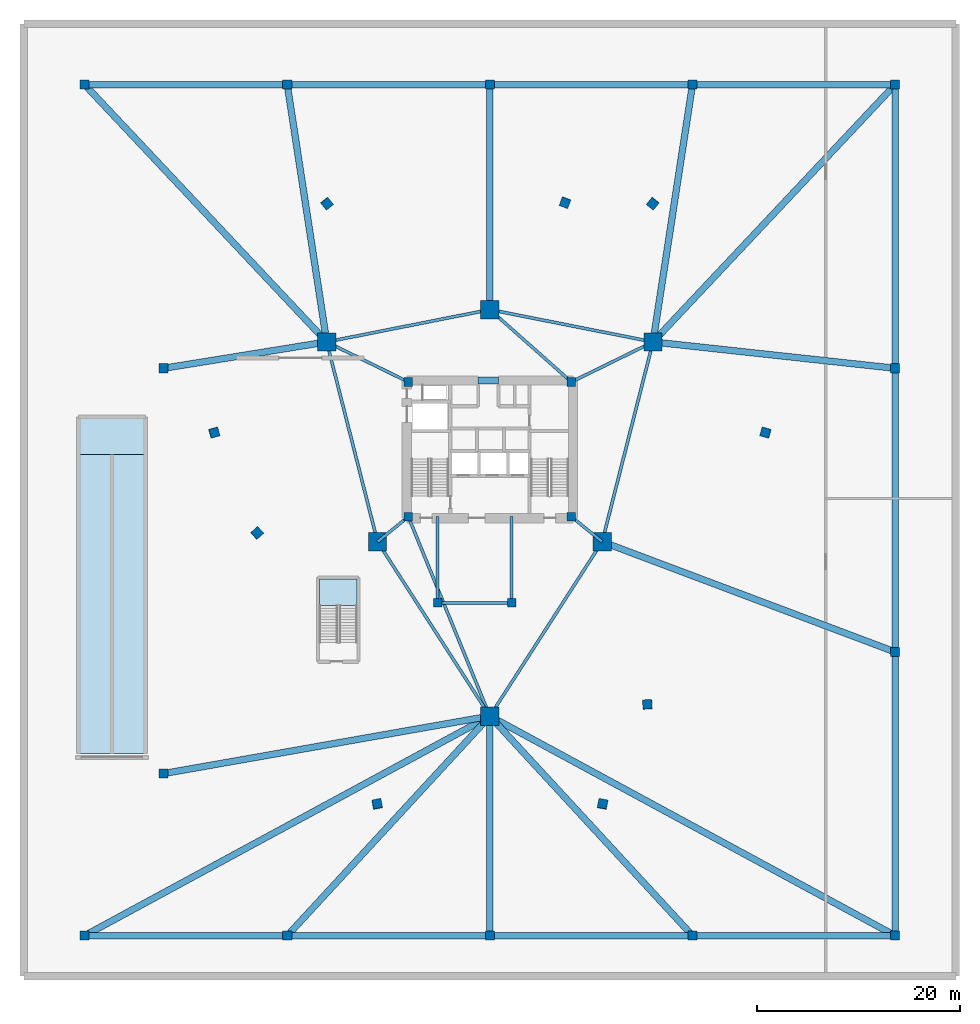
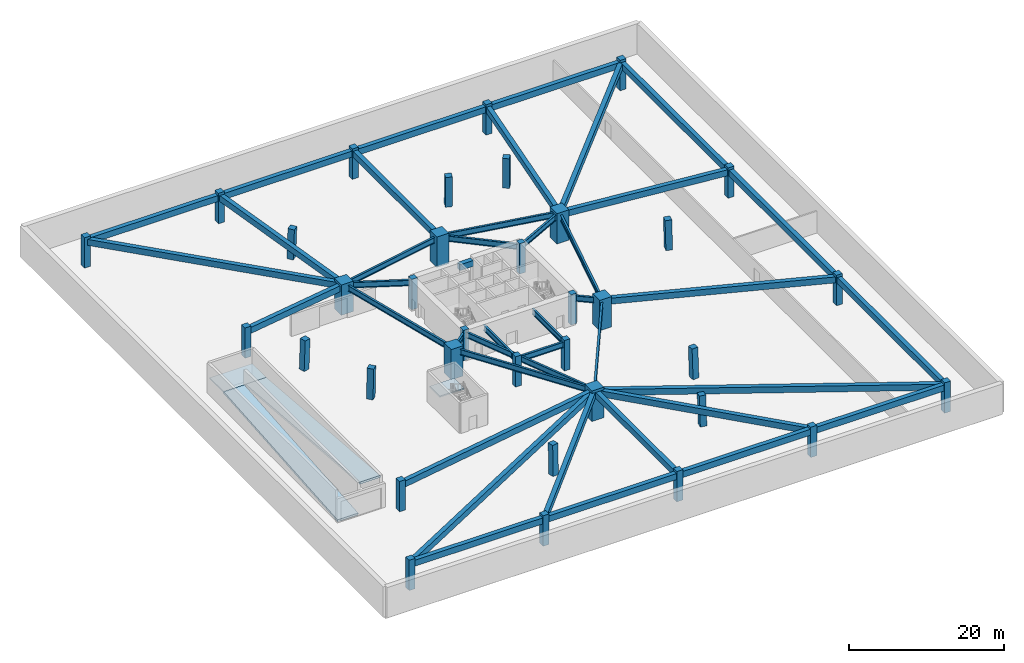
# One storey, part 1 of 7: 41 beams, 35 columns, 4 slabs, 1 element without a shape of its own.
"""IFC4 building model written with IfcOpenShell, lengths in metres."""

from ifc_helpers import new_model, si_unit, direction, frame, origin, origin_2d, place, context, subcontext, project, spatial, polyline, rectangle, i_section, outline, extrude, material, layer, layer_set, material_profile, profile_set, type_object, element, aggregate, save


model = new_model("IFC4")

# Units and contexts
model_context = context("Model", 3, precision=1e-05, world=origin(), true_north=direction((0.0, 1.0)))
body_context = subcontext(model_context, "Body", "Model", "MODEL_VIEW")
ifc_project = project(units=[si_unit("LENGTHUNIT", "METRE"), si_unit("AREAUNIT", "SQUARE_METRE"), si_unit("VOLUMEUNIT", "CUBIC_METRE"), si_unit("PLANEANGLEUNIT", "RADIAN"), si_unit("MASSUNIT", "GRAM", prefix="KILO")], contexts=[model_context])

# Site, building, storey
site_placement = place(None, origin())
site = spatial("IfcSite", under=ifc_project, at=site_placement, CompositionType="ELEMENT")
building_placement = place(site_placement, origin())
building = spatial("IfcBuilding", under=site, at=building_placement, Name="Talyreon Biosciences Tower", CompositionType="ELEMENT")
storey_placement = place(building_placement, frame((0.0, 0.0, -4.800048828125)))
storey = spatial("IfcBuildingStorey", under=building, at=storey_placement, Name="B1", CompositionType="ELEMENT", Elevation=-4.800048828125)

# Columns
ifc_material_1 = material(Name="Concrete C50/60", Category="concrete")
ifc_material_profile_1 = material_profile(ifc_material_1, rectangle(XDim=0.89990234375, YDim=0.89990234375, at=origin_2d()), Name="RC 900x900")
ifc_profile_set_1 = profile_set([ifc_material_profile_1], Name="Concrete C50/60")
column_type_1 = type_object("IfcColumnType", Name="BasementColumn_900", PredefinedType="COLUMN", material=ifc_profile_set_1)
for number, where, z_axis, x_axis, name in (
    (1, (26.0, 20.0, 0.0), (0.0, 0.0, 1.0), (1.0, 0.0, 0.0), "B1 Podium Pilotis Column PDC01"),
    (2, (46.0, 20.0, 0.0), (0.0, 0.0, 1.0), (1.0, 0.0, 0.0), "B1 Podium Pilotis Column PDC02"),
    (3, (66.0, 20.0, 0.0), (0.0, 0.0, 1.0), (1.0, 0.0, 0.0), "B1 Podium Pilotis Column PDC03"),
    (4, (86.0, 20.0, 0.0), (0.0, 0.0, 1.0), (1.0, 0.0, 0.0), "B1 Podium Pilotis Column PDC04"),
    (5, (106.0, 20.0, 0.0), (0.0, 0.0, 1.0), (1.0, 0.0, 0.0), "B1 Podium Pilotis Column PDC05"),
    (6, (106.0, 48.0, 0.0), (0.0, 0.0, 1.0), (1.0, 0.0, 0.0), "B1 Podium Pilotis Column PDC06"),
    (7, (106.0, 76.0, 0.0), (0.0, 0.0, 1.0), (1.0, 0.0, 0.0), "B1 Podium Pilotis Column PDC07"),
    (8, (106.0, 104.0, 0.0), (0.0, 0.0, 1.0), (1.0, 0.0, 0.0), "B1 Podium Pilotis Column PDC08"),
    (9, (86.0, 104.0, 0.0), (0.0, 0.0, 1.0), (1.0, 0.0, 0.0), "B1 Podium Pilotis Column PDC09"),
    (10, (66.0, 104.0, 0.0), (0.0, 0.0, 1.0), (1.0, 0.0, 0.0), "B1 Podium Pilotis Column PDC10"),
    (11, (46.0, 104.0, 0.0), (0.0, 0.0, 1.0), (1.0, 0.0, 0.0), "B1 Podium Pilotis Column PDC11"),
    (12, (26.0, 104.0, 0.0), (0.0, 0.0, 1.0), (1.0, 0.0, 0.0), "B1 Podium Pilotis Column PDC12"),
    (13, (33.800048828125, 76.0, 0.0), (0.0, 0.0, 1.0), (1.0, 0.0, 0.0), "B1 Podium Pilotis Column PDC13"),
    (14, (33.800048828125, 36.0, 0.0), (0.0, 0.0, 1.0), (1.0, 0.0, 0.0), "B1 Podium Pilotis Column PDC14"),
):
    element("IfcColumn", number, at=place(storey_placement, frame(where, z_axis=z_axis, x_axis=x_axis)), inside=storey, type_object=column_type_1, Name=name, PredefinedType="COLUMN", context=body_context, shape_type="SweptSolid", body=[
        extrude(rectangle(XDim=0.89990234375, YDim=0.89990234375, at=origin_2d()), origin(), (0.0, 0.0, 1.0), 4.800048828125),
    ])
column_1_placement = place(storey_placement, frame((77.13232421875, 32.978515625, 0.0029296875), z_axis=(-0.009361616534, 0.041414977492, 0.999098173242), x_axis=(-0.189991859957, -0.981015309358, 0.0388851637)))
element("IfcColumn", 15, at=column_1_placement, inside=storey, type_object=column_type_1, Name="B1 Tapering Perimeter Column PC-SE1", PredefinedType="COLUMN", context=body_context, shape_type="SweptSolid", body=[
    extrude(rectangle(XDim=0.89990234375, YDim=0.89990234375, at=origin_2d()), origin(), (0.0, 0.0, 1.0), 4.798583984375),
])
column_2_placement = place(storey_placement, frame((81.55419921875, 42.81298828125, 0.0029296875), z_axis=(-0.014861942478, 0.029113120197, 0.999465631674), x_axis=(0.058471187748, -0.997840168589, 0.029935232635)))
element("IfcColumn", 16, at=column_2_placement, inside=storey, type_object=column_type_1, Name="B1 Tapering Perimeter Column PL-SE", PredefinedType="COLUMN", context=body_context, shape_type="SweptSolid", body=[
    extrude(rectangle(XDim=0.89990234375, YDim=0.89990234375, at=origin_2d()), origin(), (0.0, 0.0, 1.0), 4.796630859375),
])
column_3_placement = place(storey_placement, frame((93.21630859375, 69.65576171875, 0.0029296875), z_axis=(-0.029828067863, -0.004326596874, 0.99954568026), x_axis=(0.963564245293, -0.266048934204, 0.02760271367)))
element("IfcColumn", 17, at=column_3_placement, inside=storey, type_object=column_type_1, Name="B1 Tapering Perimeter Column PC-SE2", PredefinedType="COLUMN", context=body_context, shape_type="SweptSolid", body=[
    extrude(rectangle(XDim=0.89990234375, YDim=0.89990234375, at=origin_2d()), origin(), (0.0, 0.0, 1.0), 4.79638671875),
])
column_4_placement = place(storey_placement, frame((82.083984375, 92.260009765625, 0.0029296875), z_axis=(-0.020409765916, -0.02544858593, 0.999467763827), x_axis=(-0.780107149771, 0.625645934116, 0.0)))
element("IfcColumn", 18, at=column_4_placement, inside=storey, type_object=column_type_1, Name="B1 Tapering Perimeter Column PC-N1", PredefinedType="COLUMN", context=body_context, shape_type="SweptSolid", body=[
    extrude(rectangle(XDim=0.89990234375, YDim=0.89990234375, at=origin_2d()), origin(), (0.0, 0.0, 1.0), 4.796630859375),
])
column_5_placement = place(storey_placement, frame((73.42333984375, 92.360107421875, 0.0029296875), z_axis=(-0.009417508699, -0.025503631667, 0.999630369337), x_axis=(-0.9380871136, 0.346399433166, 0.0)))
element("IfcColumn", 19, at=column_5_placement, inside=storey, type_object=column_type_1, Name="B1 Tapering Perimeter Column PL-N", PredefinedType="COLUMN", context=body_context, shape_type="SweptSolid", body=[
    extrude(rectangle(XDim=0.89990234375, YDim=0.89990234375, at=origin_2d()), origin(), (0.0, 0.0, 1.0), 4.7958984375),
])
column_6_placement = place(storey_placement, frame((49.916015625, 92.260009765625, 0.0029296875), z_axis=(0.020409765916, -0.02544858593, 0.999467763827), x_axis=(-0.780107149771, -0.625645934116, 0.0)))
element("IfcColumn", 20, at=column_6_placement, inside=storey, type_object=column_type_1, Name="B1 Tapering Perimeter Column PC-N2", PredefinedType="COLUMN", context=body_context, shape_type="SweptSolid", body=[
    extrude(rectangle(XDim=0.89990234375, YDim=0.89990234375, at=origin_2d()), origin(), (0.0, 0.0, 1.0), 4.796630859375),
])
column_7_placement = place(storey_placement, frame((38.78369140625, 69.65576171875, 0.0029296875), z_axis=(0.029828067863, -0.004326596874, 0.99954568026), x_axis=(0.963564245293, 0.266048934204, -0.02760271367)))
element("IfcColumn", 21, at=column_7_placement, inside=storey, type_object=column_type_1, Name="B1 Tapering Perimeter Column PC-SW1", PredefinedType="COLUMN", context=body_context, shape_type="SweptSolid", body=[
    extrude(rectangle(XDim=0.89990234375, YDim=0.89990234375, at=origin_2d()), origin(), (0.0, 0.0, 1.0), 4.79638671875),
])
column_8_placement = place(storey_placement, frame((43.022216796875, 59.740966796875, 0.0029296875), z_axis=(0.02438469547, 0.007992478473, 0.999670699238), x_axis=(0.744882298306, 0.66678188222, -0.023500706645)))
element("IfcColumn", 22, at=column_8_placement, inside=storey, type_object=column_type_1, Name="B1 Tapering Perimeter Column PL-SW", PredefinedType="COLUMN", context=body_context, shape_type="SweptSolid", body=[
    extrude(rectangle(XDim=0.89990234375, YDim=0.89990234375, at=origin_2d()), origin(), (0.0, 0.0, 1.0), 4.795654296875),
])
column_9_placement = place(storey_placement, frame((54.86767578125, 32.978515625, 0.0029296875), z_axis=(0.009361616534, 0.041414977492, 0.999098173242), x_axis=(-0.189991859957, 0.981015309358, -0.0388851637)))
element("IfcColumn", 23, at=column_9_placement, inside=storey, type_object=column_type_1, Name="B1 Tapering Perimeter Column PC-SW2", PredefinedType="COLUMN", context=body_context, shape_type="SweptSolid", body=[
    extrude(rectangle(XDim=0.89990234375, YDim=0.89990234375, at=origin_2d()), origin(), (0.0, 0.0, 1.0), 4.798583984375),
])
ifc_material_2 = material(Name="Concrete C60/75", Category="concrete")
ifc_material_profile_2 = material_profile(ifc_material_2, rectangle(XDim=1.800048828125, YDim=1.800048828125, at=origin_2d()), Name="RC 1800x1800")
ifc_profile_set_2 = profile_set([ifc_material_profile_2], Name="Concrete C60/75")
column_type_2 = type_object("IfcColumnType", Name="MegaColumn_1800", PredefinedType="COLUMN", material=ifc_profile_set_2)
for number, where, z_axis, x_axis, name in (
    (24, (66.0, 41.6669921875, 0.0), (0.0, 0.0, 1.0), (1.0, 0.0, 0.0), "B1 Composite Mega-Column MC1"),
    (25, (82.102294921875, 78.5986328125, 0.0), (0.0, 0.0, 1.0), (1.0, 0.0, 0.0), "B1 Composite Mega-Column MC2"),
    (26, (49.897705078125, 78.5986328125, 0.0), (0.0, 0.0, 1.0), (1.0, 0.0, 0.0), "B1 Composite Mega-Column MC3"),
    (27, (77.086181640625, 58.88037109375, 0.0), (0.0, 0.0, 1.0), (1.0, 0.0, 0.0), "B1 Composite Mega-Column MC4"),
    (28, (66.0, 81.788818359375, 0.0), (0.0, 0.0, 1.0), (1.0, 0.0, 0.0), "B1 Composite Mega-Column MC5"),
    (29, (54.913818359375, 58.88037109375, 0.0), (0.0, 0.0, 1.0), (1.0, 0.0, 0.0), "B1 Composite Mega-Column MC6"),
):
    element("IfcColumn", number, at=place(storey_placement, frame(where, z_axis=z_axis, x_axis=x_axis)), inside=storey, type_object=column_type_2, Name=name, PredefinedType="COLUMN", context=body_context, shape_type="SweptSolid", body=[
        extrude(rectangle(XDim=1.800048828125, YDim=1.800048828125, at=origin_2d()), origin(), (0.0, 0.0, 1.0), 4.800048828125),
    ])
ifc_material_profile_3 = material_profile(ifc_material_2, rectangle(XDim=0.85009765625, YDim=0.85009765625, at=origin_2d()), Name="RC 850x850")
ifc_profile_set_3 = profile_set([ifc_material_profile_3], Name="Concrete C60/75")
column_type_3 = type_object("IfcColumnType", Name="PerimeterColumn_850", PredefinedType="COLUMN", material=ifc_profile_set_3)
for number, where, z_axis, x_axis, name in (
    (30, (57.949951171875, 61.35009765625, 0.0), (0.0, 0.0, 1.0), (1.0, 0.0, 0.0), "B1 Core Column CC1"),
    (31, (74.050048828125, 61.35009765625, 0.0), (0.0, 0.0, 1.0), (1.0, 0.0, 0.0), "B1 Core Column CC2"),
    (32, (74.050048828125, 74.64990234375, 0.0), (0.0, 0.0, 1.0), (1.0, 0.0, 0.0), "B1 Core Column CC3"),
    (33, (57.949951171875, 74.64990234375, 0.0), (0.0, 0.0, 1.0), (1.0, 0.0, 0.0), "B1 Core Column CC4"),
    (34, (60.85009765625, 52.840087890625, 0.0), (0.0, 0.0, 1.0), (1.0, 0.0, 0.0), "B1 Core Column CSW"),
    (35, (68.14990234375, 52.840087890625, 0.0), (0.0, 0.0, 1.0), (1.0, 0.0, 0.0), "B1 Core Column CSE"),
):
    element("IfcColumn", number, at=place(storey_placement, frame(where, z_axis=z_axis, x_axis=x_axis)), inside=storey, type_object=column_type_3, Name=name, PredefinedType="COLUMN", context=body_context, shape_type="SweptSolid", body=[
        extrude(rectangle(XDim=0.85009765625, YDim=0.85009765625, at=origin_2d()), origin(), (0.0, 0.0, 1.0), 4.800048828125),
    ])

# Beams
ifc_material_profile_4 = material_profile(ifc_material_2, rectangle(XDim=0.699951171875, YDim=0.89990234375, at=origin_2d()), Name="RCB 700x900")
ifc_profile_set_4 = profile_set([ifc_material_profile_4], Name="Concrete C60/75")
beam_type_1 = type_object("IfcBeamType", Name="CoreCouplingLintel_700x900", PredefinedType="LINTEL", material=ifc_profile_set_4)
beam_1_placement = place(storey_placement, frame((64.85009765625, 74.800048828125, 3.949951171875), z_axis=(1.0, 0.0, 0.0), x_axis=(0.0, 1.0, 0.0)))
element("IfcBeam", 36, at=beam_1_placement, inside=storey, type_object=beam_type_1, Name="B1 Core Coupling Lintel", PredefinedType="LINTEL", context=body_context, shape_type="SweptSolid", body=[
    extrude(rectangle(XDim=0.699951171875, YDim=0.89990234375, at=origin_2d()), origin(), (0.0, 0.0, 1.0), 2.0),
])
ifc_material_profile_5 = material_profile(ifc_material_1, rectangle(XDim=0.64990234375, YDim=0.949951171875, at=origin_2d()), Name="RCB 650x950")
ifc_profile_set_5 = profile_set([ifc_material_profile_5], Name="Concrete C50/60")
beam_type_2 = type_object("IfcBeamType", Name="PodiumGirder_650x950", PredefinedType="T_BEAM", material=ifc_profile_set_5)
for number, where, z_axis, x_axis, name in (
    (37, (26.0, 20.0, 3.925048828125), (1.0, 0.0, 0.0), (0.0, 1.0, 0.0), "B1 Podium Perimeter Ring Girder 01"),
    (38, (46.0, 20.0, 3.925048828125), (1.0, 0.0, 0.0), (0.0, 1.0, 0.0), "B1 Podium Perimeter Ring Girder 02"),
    (39, (66.0, 20.0, 3.925048828125), (1.0, 0.0, 0.0), (0.0, 1.0, 0.0), "B1 Podium Perimeter Ring Girder 03"),
    (40, (86.0, 20.0, 3.925048828125), (1.0, 0.0, 0.0), (0.0, 1.0, 0.0), "B1 Podium Perimeter Ring Girder 04"),
):
    element("IfcBeam", number, at=place(storey_placement, frame(where, z_axis=z_axis, x_axis=x_axis)), inside=storey, type_object=beam_type_2, Name=name, PredefinedType="T_BEAM", context=body_context, shape_type="SweptSolid", body=[
        extrude(rectangle(XDim=0.64990234375, YDim=0.949951171875, at=origin_2d()), origin(), (0.0, 0.0, 1.0), 20.0),
    ])
for number, where, z_axis, x_axis, name in (
    (41, (106.0, 20.0, 3.925048828125), (0.0, 1.0, 0.0), (-1.0, 0.0, 0.0), "B1 Podium Perimeter Ring Girder 05"),
    (42, (106.0, 48.0, 3.925048828125), (0.0, 1.0, 0.0), (-1.0, 0.0, 0.0), "B1 Podium Perimeter Ring Girder 06"),
    (43, (106.0, 76.0, 3.925048828125), (0.0, 1.0, 0.0), (-1.0, 0.0, 0.0), "B1 Podium Perimeter Ring Girder 07"),
):
    element("IfcBeam", number, at=place(storey_placement, frame(where, z_axis=z_axis, x_axis=x_axis)), inside=storey, type_object=beam_type_2, Name=name, PredefinedType="T_BEAM", context=body_context, shape_type="SweptSolid", body=[
        extrude(rectangle(XDim=0.64990234375, YDim=0.949951171875, at=origin_2d()), origin(), (0.0, 0.0, 1.0), 28.0),
    ])
for number, where, z_axis, x_axis, name in (
    (44, (106.0, 104.0, 3.925048828125), (-1.0, 0.0, 0.0), (0.0, -1.0, 0.0), "B1 Podium Perimeter Ring Girder 08"),
    (45, (86.0, 104.0, 3.925048828125), (-1.0, 0.0, 0.0), (0.0, -1.0, 0.0), "B1 Podium Perimeter Ring Girder 09"),
    (46, (66.0, 104.0, 3.925048828125), (-1.0, 0.0, 0.0), (0.0, -1.0, 0.0), "B1 Podium Perimeter Ring Girder 10"),
    (47, (46.0, 104.0, 3.925048828125), (-1.0, 0.0, 0.0), (0.0, -1.0, 0.0), "B1 Podium Perimeter Ring Girder 11"),
):
    element("IfcBeam", number, at=place(storey_placement, frame(where, z_axis=z_axis, x_axis=x_axis)), inside=storey, type_object=beam_type_2, Name=name, PredefinedType="T_BEAM", context=body_context, shape_type="SweptSolid", body=[
        extrude(rectangle(XDim=0.64990234375, YDim=0.949951171875, at=origin_2d()), origin(), (0.0, 0.0, 1.0), 20.0),
    ])
beam_2_placement = place(storey_placement, frame((66.0, 41.6669921875, 3.925048828125), z_axis=(-0.879288969782, -0.47628868097, 0.0), x_axis=(0.47628868097, -0.879288969782, 0.0)))
element("IfcBeam", 48, at=beam_2_placement, inside=storey, type_object=beam_type_2, Name="B1 Podium Radial Tie Girder PDC01", PredefinedType="T_BEAM", context=body_context, shape_type="SweptSolid", body=[
    extrude(rectangle(XDim=0.64990234375, YDim=0.949951171875, at=origin_2d()), origin(), (0.0, 0.0, 1.0), 45.4912109375),
])
beam_3_placement = place(storey_placement, frame((66.0, 41.6669921875, 3.925048828125), z_axis=(-0.678274600536, -0.73480852354, 0.0), x_axis=(0.73480852354, -0.678274600536, 0.0)))
element("IfcBeam", 49, at=beam_3_placement, inside=storey, type_object=beam_type_2, Name="B1 Podium Radial Tie Girder PDC02", PredefinedType="T_BEAM", context=body_context, shape_type="SweptSolid", body=[
    extrude(rectangle(XDim=0.64990234375, YDim=0.949951171875, at=origin_2d()), origin(), (0.0, 0.0, 1.0), 29.486572265625),
])
beam_4_placement = place(storey_placement, frame((66.0, 41.6669921875, 3.925048828125), z_axis=(0.0, -1.0, 0.0), x_axis=(1.0, 0.0, 0.0)))
element("IfcBeam", 50, at=beam_4_placement, inside=storey, type_object=beam_type_2, Name="B1 Podium Radial Tie Girder PDC03", PredefinedType="T_BEAM", context=body_context, shape_type="SweptSolid", body=[
    extrude(rectangle(XDim=0.64990234375, YDim=0.949951171875, at=origin_2d()), origin(), (0.0, 0.0, 1.0), 21.6669921875),
])
beam_5_placement = place(storey_placement, frame((66.0, 41.6669921875, 3.925048828125), z_axis=(0.678274600536, -0.73480852354, 0.0), x_axis=(0.73480852354, 0.678274600536, 0.0)))
element("IfcBeam", 51, at=beam_5_placement, inside=storey, type_object=beam_type_2, Name="B1 Podium Radial Tie Girder PDC04", PredefinedType="T_BEAM", context=body_context, shape_type="SweptSolid", body=[
    extrude(rectangle(XDim=0.64990234375, YDim=0.949951171875, at=origin_2d()), origin(), (0.0, 0.0, 1.0), 29.486572265625),
])
beam_6_placement = place(storey_placement, frame((66.0, 41.6669921875, 3.925048828125), z_axis=(0.879288969782, -0.47628868097, 0.0), x_axis=(0.47628868097, 0.879288969782, 0.0)))
element("IfcBeam", 52, at=beam_6_placement, inside=storey, type_object=beam_type_2, Name="B1 Podium Radial Tie Girder PDC05", PredefinedType="T_BEAM", context=body_context, shape_type="SweptSolid", body=[
    extrude(rectangle(XDim=0.64990234375, YDim=0.949951171875, at=origin_2d()), origin(), (0.0, 0.0, 1.0), 45.4912109375),
])
beam_7_placement = place(storey_placement, frame((77.086181640625, 58.88037109375, 3.925048828125), z_axis=(0.935927476384, -0.352192786623, 0.0), x_axis=(0.352192786623, 0.935927476384, 0.0)))
element("IfcBeam", 53, at=beam_7_placement, inside=storey, type_object=beam_type_2, Name="B1 Podium Radial Tie Girder PDC06", PredefinedType="T_BEAM", context=body_context, shape_type="SweptSolid", body=[
    extrude(rectangle(XDim=0.64990234375, YDim=0.949951171875, at=origin_2d()), origin(), (0.0, 0.0, 1.0), 30.893310546875),
])
beam_8_placement = place(storey_placement, frame((82.102294921875, 78.5986328125, 3.925048828125), z_axis=(0.994139742168, -0.108102604236, 0.0), x_axis=(0.108102604236, 0.994139742168, 0.0)))
element("IfcBeam", 54, at=beam_8_placement, inside=storey, type_object=beam_type_2, Name="B1 Podium Radial Tie Girder PDC07", PredefinedType="T_BEAM", context=body_context, shape_type="SweptSolid", body=[
    extrude(rectangle(XDim=0.64990234375, YDim=0.949951171875, at=origin_2d()), origin(), (0.0, 0.0, 1.0), 24.03857421875),
])
beam_9_placement = place(storey_placement, frame((82.102294921875, 78.5986328125, 3.925048828125), z_axis=(0.685220788465, 0.728335411095, 0.0), x_axis=(-0.728335411095, 0.685220788465, 0.0)))
element("IfcBeam", 55, at=beam_9_placement, inside=storey, type_object=beam_type_2, Name="B1 Podium Radial Tie Girder PDC08", PredefinedType="T_BEAM", context=body_context, shape_type="SweptSolid", body=[
    extrude(rectangle(XDim=0.64990234375, YDim=0.949951171875, at=origin_2d()), origin(), (0.0, 0.0, 1.0), 34.8759765625),
])
beam_10_placement = place(storey_placement, frame((82.102294921875, 78.5986328125, 3.925048828125), z_axis=(0.151669534412, 0.988431258273, 0.0), x_axis=(-0.988431258273, 0.151669534412, 0.0)))
element("IfcBeam", 56, at=beam_10_placement, inside=storey, type_object=beam_type_2, Name="B1 Podium Radial Tie Girder PDC09", PredefinedType="T_BEAM", context=body_context, shape_type="SweptSolid", body=[
    extrude(rectangle(XDim=0.64990234375, YDim=0.949951171875, at=origin_2d()), origin(), (0.0, 0.0, 1.0), 25.69873046875),
])
beam_11_placement = place(storey_placement, frame((66.0, 81.788818359375, 3.925048828125), z_axis=(0.0, 1.0, 0.0), x_axis=(-1.0, 0.0, 0.0)))
element("IfcBeam", 57, at=beam_11_placement, inside=storey, type_object=beam_type_2, Name="B1 Podium Radial Tie Girder PDC10", PredefinedType="T_BEAM", context=body_context, shape_type="SweptSolid", body=[
    extrude(rectangle(XDim=0.64990234375, YDim=0.949951171875, at=origin_2d()), origin(), (0.0, 0.0, 1.0), 22.211181640625),
])
beam_12_placement = place(storey_placement, frame((49.897705078125, 78.5986328125, 3.925048828125), z_axis=(-0.151669534412, 0.988431258273, 0.0), x_axis=(-0.988431258273, -0.151669534412, 0.0)))
element("IfcBeam", 58, at=beam_12_placement, inside=storey, type_object=beam_type_2, Name="B1 Podium Radial Tie Girder PDC11", PredefinedType="T_BEAM", context=body_context, shape_type="SweptSolid", body=[
    extrude(rectangle(XDim=0.64990234375, YDim=0.949951171875, at=origin_2d()), origin(), (0.0, 0.0, 1.0), 25.69873046875),
])
beam_13_placement = place(storey_placement, frame((49.897705078125, 78.5986328125, 3.925048828125), z_axis=(-0.685220788465, 0.728335411095, 0.0), x_axis=(-0.728335411095, -0.685220788465, 0.0)))
element("IfcBeam", 59, at=beam_13_placement, inside=storey, type_object=beam_type_2, Name="B1 Podium Radial Tie Girder PDC12", PredefinedType="T_BEAM", context=body_context, shape_type="SweptSolid", body=[
    extrude(rectangle(XDim=0.64990234375, YDim=0.949951171875, at=origin_2d()), origin(), (0.0, 0.0, 1.0), 34.8759765625),
])
beam_14_placement = place(storey_placement, frame((49.897705078125, 78.5986328125, 3.925048828125), z_axis=(-0.987219548989, -0.159366125932, 0.0), x_axis=(0.159366125932, -0.987219548989, 0.0)))
element("IfcBeam", 60, at=beam_14_placement, inside=storey, type_object=beam_type_2, Name="B1 Podium Radial Tie Girder PDC13", PredefinedType="T_BEAM", context=body_context, shape_type="SweptSolid", body=[
    extrude(rectangle(XDim=0.64990234375, YDim=0.949951171875, at=origin_2d()), origin(), (0.0, 0.0, 1.0), 16.30615234375),
])
beam_15_placement = place(storey_placement, frame((66.0, 41.6669921875, 3.925048828125), z_axis=(-0.984863814232, -0.173329938024, 0.0), x_axis=(0.173329938024, -0.984863814232, 0.0)))
element("IfcBeam", 61, at=beam_15_placement, inside=storey, type_object=beam_type_2, Name="B1 Podium Radial Tie Girder PDC14", PredefinedType="T_BEAM", context=body_context, shape_type="SweptSolid", body=[
    extrude(rectangle(XDim=0.64990234375, YDim=0.949951171875, at=origin_2d()), origin(), (0.0, 0.0, 1.0), 32.69482421875),
])
ifc_material_3 = material(Name="Steel SM420", Category="steel")
ifc_material_profile_6 = material_profile(ifc_material_3, i_section(OverallWidth=0.300048828125, OverallDepth=0.89990234375, WebThickness=0.0185546875, FlangeThickness=0.034912109375, FilletRadius=0.030029296875, at=origin_2d()), Name="HE900B")
ifc_profile_set_6 = profile_set([ifc_material_profile_6], Name="Steel SM420")
beam_type_3 = type_object("IfcBeamType", Name="SteelGirder_HE900B", PredefinedType="BEAM", material=ifc_profile_set_6)
beam_16_placement = place(storey_placement, frame((66.0, 41.6669921875, 3.949951171875), z_axis=(0.541463723609, 0.840724114092, 0.0), x_axis=(-0.840724114092, 0.541463723609, 0.0)))
element("IfcBeam", 62, at=beam_16_placement, inside=storey, type_object=beam_type_3, Name="B1 Mega-Ring Girder 1", PredefinedType="BEAM", context=body_context, shape_type="SweptSolid", body=[
    extrude(i_section(OverallWidth=0.300048828125, OverallDepth=0.89990234375, WebThickness=0.0185546875, FlangeThickness=0.034912109375, FilletRadius=0.030029296875, at=origin_2d()), origin(), (0.0, 0.0, 1.0), 20.474365234375),
])
beam_17_placement = place(storey_placement, frame((77.086181640625, 58.88037109375, 3.949951171875), z_axis=(0.246537082299, 0.969133358755, 0.0), x_axis=(-0.969133358755, 0.246537082299, 0.0)))
element("IfcBeam", 63, at=beam_17_placement, inside=storey, type_object=beam_type_3, Name="B1 Mega-Ring Girder 2", PredefinedType="BEAM", context=body_context, shape_type="SweptSolid", body=[
    extrude(i_section(OverallWidth=0.300048828125, OverallDepth=0.89990234375, WebThickness=0.0185546875, FlangeThickness=0.034912109375, FilletRadius=0.030029296875, at=origin_2d()), origin(), (0.0, 0.0, 1.0), 20.34619140625),
])
for number, where, z_axis, x_axis, name in (
    (64, (82.102294921875, 78.5986328125, 3.949951171875), (-0.980933730698, 0.194342522311, 0.0), (-0.194342522311, -0.980933730698, 0.0), "B1 Mega-Ring Girder 3"),
    (65, (66.0, 81.788818359375, 3.949951171875), (-0.980933730698, -0.194342522311, 0.0), (0.194342522311, -0.980933730698, 0.0), "B1 Mega-Ring Girder 4"),
):
    element("IfcBeam", number, at=place(storey_placement, frame(where, z_axis=z_axis, x_axis=x_axis)), inside=storey, type_object=beam_type_3, Name=name, PredefinedType="BEAM", context=body_context, shape_type="SweptSolid", body=[
        extrude(i_section(OverallWidth=0.300048828125, OverallDepth=0.89990234375, WebThickness=0.0185546875, FlangeThickness=0.034912109375, FilletRadius=0.030029296875, at=origin_2d()), origin(), (0.0, 0.0, 1.0), 16.415283203125),
    ])
beam_18_placement = place(storey_placement, frame((49.897705078125, 78.5986328125, 3.949951171875), z_axis=(0.246537082299, -0.969133358755, 0.0), x_axis=(0.969133358755, 0.246537082299, 0.0)))
element("IfcBeam", 66, at=beam_18_placement, inside=storey, type_object=beam_type_3, Name="B1 Mega-Ring Girder 5", PredefinedType="BEAM", context=body_context, shape_type="SweptSolid", body=[
    extrude(i_section(OverallWidth=0.300048828125, OverallDepth=0.89990234375, WebThickness=0.0185546875, FlangeThickness=0.034912109375, FilletRadius=0.030029296875, at=origin_2d()), origin(), (0.0, 0.0, 1.0), 20.34619140625),
])
beam_19_placement = place(storey_placement, frame((54.913818359375, 58.88037109375, 3.949951171875), z_axis=(0.541463723609, -0.840724114092, 0.0), x_axis=(0.840724114092, 0.541463723609, 0.0)))
element("IfcBeam", 67, at=beam_19_placement, inside=storey, type_object=beam_type_3, Name="B1 Mega-Ring Girder 6", PredefinedType="BEAM", context=body_context, shape_type="SweptSolid", body=[
    extrude(i_section(OverallWidth=0.300048828125, OverallDepth=0.89990234375, WebThickness=0.0185546875, FlangeThickness=0.034912109375, FilletRadius=0.030029296875, at=origin_2d()), origin(), (0.0, 0.0, 1.0), 20.474365234375),
])
beam_20_placement = place(storey_placement, frame((57.949951171875, 61.35009765625, 3.949951171875), z_axis=(0.378547014545, -0.925582064314, 0.0), x_axis=(0.925582064314, 0.378547014545, 0.0)))
element("IfcBeam", 68, at=beam_20_placement, inside=storey, type_object=beam_type_3, Name="B1 Radial Primary Girder 1", PredefinedType="BEAM", context=body_context, shape_type="SweptSolid", body=[
    extrude(i_section(OverallWidth=0.300048828125, OverallDepth=0.89990234375, WebThickness=0.0185546875, FlangeThickness=0.034912109375, FilletRadius=0.030029296875, at=origin_2d()), origin(), (0.0, 0.0, 1.0), 21.265625),
])
beam_21_placement = place(storey_placement, frame((74.050048828125, 61.35009765625, 3.949951171875), z_axis=(0.775755154013, -0.631034025249, 0.0), x_axis=(0.631034025249, 0.775755154013, 0.0)))
element("IfcBeam", 69, at=beam_21_placement, inside=storey, type_object=beam_type_3, Name="B1 Radial Primary Girder 2", PredefinedType="BEAM", context=body_context, shape_type="SweptSolid", body=[
    extrude(i_section(OverallWidth=0.300048828125, OverallDepth=0.89990234375, WebThickness=0.0185546875, FlangeThickness=0.034912109375, FilletRadius=0.030029296875, at=origin_2d()), origin(), (0.0, 0.0, 1.0), 3.913818359375),
])
beam_22_placement = place(storey_placement, frame((74.050048828125, 74.64990234375, 3.949951171875), z_axis=(0.897852360314, 0.440296648952, 0.0), x_axis=(-0.440296648952, 0.897852360314, 0.0)))
element("IfcBeam", 70, at=beam_22_placement, inside=storey, type_object=beam_type_3, Name="B1 Radial Primary Girder 3", PredefinedType="BEAM", context=body_context, shape_type="SweptSolid", body=[
    extrude(i_section(OverallWidth=0.300048828125, OverallDepth=0.89990234375, WebThickness=0.0185546875, FlangeThickness=0.034912109375, FilletRadius=0.030029296875, at=origin_2d()), origin(), (0.0, 0.0, 1.0), 8.96826171875),
])
beam_23_placement = place(storey_placement, frame((74.050048828125, 74.64990234375, 3.949951171875), z_axis=(-0.748178733955, 0.663497235908, 0.0), x_axis=(-0.663497235908, -0.748178733955, 0.0)))
element("IfcBeam", 71, at=beam_23_placement, inside=storey, type_object=beam_type_3, Name="B1 Radial Primary Girder 4", PredefinedType="BEAM", context=body_context, shape_type="SweptSolid", body=[
    extrude(i_section(OverallWidth=0.300048828125, OverallDepth=0.89990234375, WebThickness=0.0185546875, FlangeThickness=0.034912109375, FilletRadius=0.030029296875, at=origin_2d()), origin(), (0.0, 0.0, 1.0), 10.759521484375),
])
beam_24_placement = place(storey_placement, frame((57.949951171875, 74.64990234375, 3.949951171875), z_axis=(-0.897852360314, 0.440296648952, 0.0), x_axis=(-0.440296648952, -0.897852360314, 0.0)))
element("IfcBeam", 72, at=beam_24_placement, inside=storey, type_object=beam_type_3, Name="B1 Radial Primary Girder 5", PredefinedType="BEAM", context=body_context, shape_type="SweptSolid", body=[
    extrude(i_section(OverallWidth=0.300048828125, OverallDepth=0.89990234375, WebThickness=0.0185546875, FlangeThickness=0.034912109375, FilletRadius=0.030029296875, at=origin_2d()), origin(), (0.0, 0.0, 1.0), 8.96826171875),
])
beam_25_placement = place(storey_placement, frame((57.949951171875, 61.35009765625, 3.949951171875), z_axis=(-0.775755154013, -0.631034025249, 0.0), x_axis=(0.631034025249, -0.775755154013, 0.0)))
element("IfcBeam", 73, at=beam_25_placement, inside=storey, type_object=beam_type_3, Name="B1 Radial Primary Girder 6", PredefinedType="BEAM", context=body_context, shape_type="SweptSolid", body=[
    extrude(i_section(OverallWidth=0.300048828125, OverallDepth=0.89990234375, WebThickness=0.0185546875, FlangeThickness=0.034912109375, FilletRadius=0.030029296875, at=origin_2d()), origin(), (0.0, 0.0, 1.0), 3.913818359375),
])
beam_26_placement = place(storey_placement, frame((60.85009765625, 52.840087890625, 3.949951171875), z_axis=(1.0, 0.0, 0.0), x_axis=(0.0, 1.0, 0.0)))
element("IfcBeam", 74, at=beam_26_placement, inside=storey, type_object=beam_type_3, Name="B1 Crown Shaft Spine Girder S", PredefinedType="BEAM", context=body_context, shape_type="SweptSolid", body=[
    extrude(i_section(OverallWidth=0.300048828125, OverallDepth=0.89990234375, WebThickness=0.0185546875, FlangeThickness=0.034912109375, FilletRadius=0.030029296875, at=origin_2d()), origin(), (0.0, 0.0, 1.0), 7.2998046875),
])
for number, where, z_axis, x_axis, name in (
    (75, (60.85009765625, 52.840087890625, 3.949951171875), (0.0, 1.0, 0.0), (-1.0, 0.0, 0.0), "B1 Crown Shaft Tie Girder W"),
    (76, (68.14990234375, 52.840087890625, 3.949951171875), (0.0, 1.0, 0.0), (-1.0, 0.0, 0.0), "B1 Crown Shaft Tie Girder E"),
):
    element("IfcBeam", number, at=place(storey_placement, frame(where, z_axis=z_axis, x_axis=x_axis)), inside=storey, type_object=beam_type_3, Name=name, PredefinedType="BEAM", context=body_context, shape_type="SweptSolid", body=[
        extrude(i_section(OverallWidth=0.300048828125, OverallDepth=0.89990234375, WebThickness=0.0185546875, FlangeThickness=0.034912109375, FilletRadius=0.030029296875, at=origin_2d()), origin(), (0.0, 0.0, 1.0), 8.510009765625),
    ])

# Slabs
ifc_material_4 = material(Name="Concrete C40/50", Category="concrete")
ifc_layer_1 = layer(ifc_material_4, 0.320068359375)
ifc_layer_set_1 = layer_set([ifc_layer_1], Name="Concrete C40/50")
slab_type_1 = type_object("IfcSlabType", Name="RampFlightSlab_320", PredefinedType="LANDING", material=ifc_layer_set_1)
slab_1_placement = place(storey_placement, frame((25.5, 38.0, 0.0), z_axis=(0.0, -0.081092939253, 0.996706544176), x_axis=(1.0, 0.0, 0.0)))
element("IfcSlab", 77, at=slab_1_placement, inside=storey, type_object=slab_type_1, Name="B1 Vehicle Ramp Flight A", PredefinedType="LANDING", context=body_context, shape_type="SweptSolid", body=[
    extrude(outline(polyline([(0.0, 0.0), (3.10009765625, 0.0), (3.10009765625, 29.597477986248386), (0.0, 29.597477986248386), (0.0, 0.0)])), origin(), (0.0, 0.0, -1.0), 0.320068359375),
])
slab_2_placement = place(storey_placement, frame((28.800048828125, 67.5, 2.400146484375), z_axis=(0.0, 0.081084744792, 0.996707210851), x_axis=(1.0, 0.0, 0.0)))
element("IfcSlab", 78, at=slab_2_placement, inside=storey, type_object=slab_type_1, Name="B1 Vehicle Ramp Flight B", PredefinedType="LANDING", context=body_context, shape_type="SweptSolid", body=[
    extrude(outline(polyline([(0.0, 0.0), (3.099853515625, 0.0), (3.099853515625, -29.59745818916781), (0.0, -29.59745818916781), (0.0, 0.0)])), origin(), (0.0, 0.0, -1.0), 0.320068359375),
])
ifc_layer_2 = layer(ifc_material_4, 0.199951171875)
ifc_layer_set_2 = layer_set([ifc_layer_2], Name="Concrete C40/50")
slab_type_2 = type_object("IfcSlabType", Name="StairLandingSlab_200", PredefinedType="LANDING", material=ifc_layer_set_2)
slab_3_placement = place(storey_placement, frame((0.0, 0.0, 2.199951171875)))
element("IfcSlab", 79, at=slab_3_placement, inside=storey, type_object=slab_type_2, Name="B1 Vehicle Ramp Mid-Landing", PredefinedType="LANDING", context=body_context, shape_type="SweptSolid", body=[
    extrude(outline(polyline([(25.5, 67.5), (31.89990234375, 67.5), (31.89990234375, 71.10009765625), (25.5, 71.10009765625), (25.5, 67.5)])), origin(), (0.0, 0.0, 1.0), 0.2001953125),
])

# Stair, slab
stair_type = type_object("IfcStairType", Name="DoglegEscapeStair_4800", PredefinedType="HALF_TURN_STAIR", material=ifc_material_4)
stair_placement = place(storey_placement, origin())
stair = element("IfcStair", 80, at=stair_placement, inside=storey, type_object=stair_type, Name="B1 Podium Escape Stair 3", PredefinedType="HALF_TURN_STAIR")
slab_4_placement = place(storey_placement, frame((0.0, 0.0, 2.199951171875)))
slab_4 = element("IfcSlab", 81, at=slab_4_placement, type_object=slab_type_2, Name="ST-3 landing 1", PredefinedType="LANDING", context=body_context, shape_type="SweptSolid", body=[
    extrude(outline(polyline([(52.8798828125, 52.590087890625), (52.8798828125, 55.199951171875), (49.199951171875, 55.199951171875), (49.199951171875, 52.590087890625), (52.8798828125, 52.590087890625)])), origin(), (0.0, 0.0, 1.0), 0.2001953125),
])
aggregate(stair, [slab_4])

save(model, "model.ifc")
